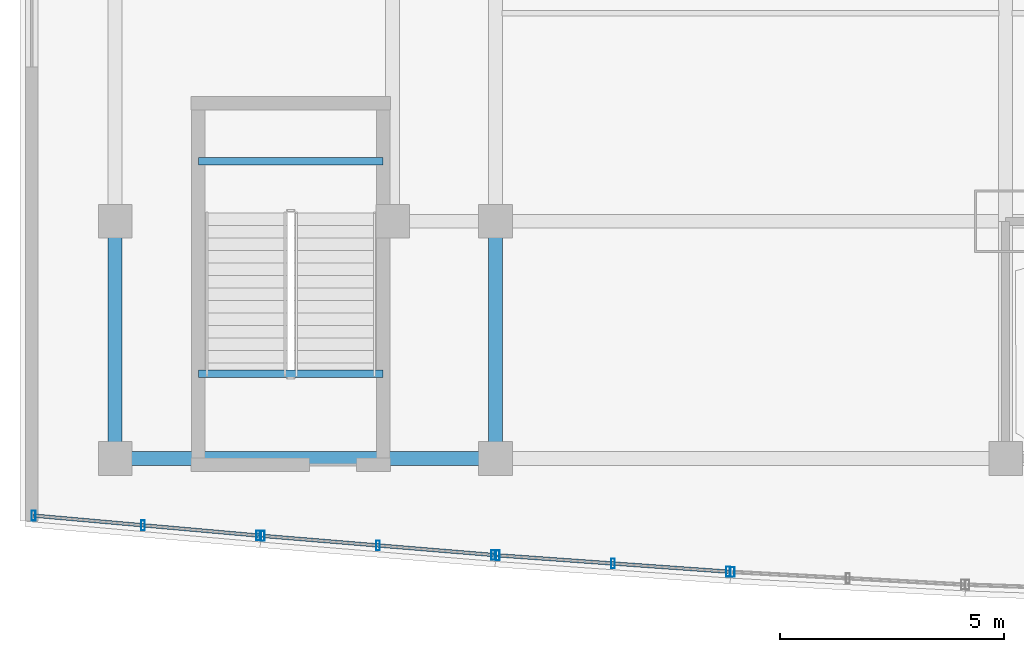
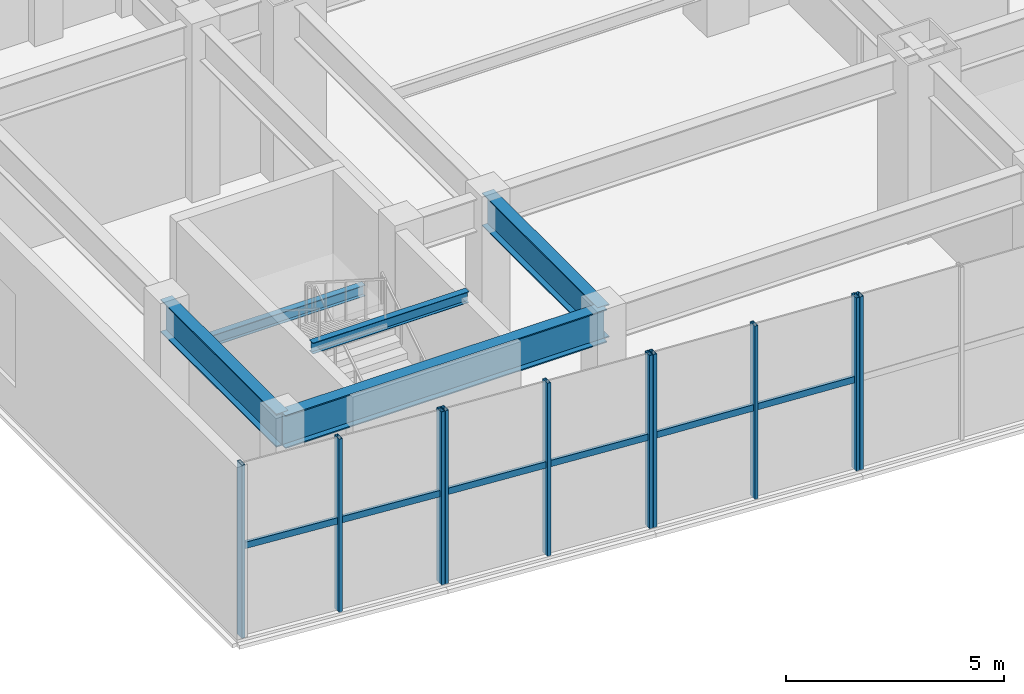
# One storey, part 2 of 24: 13 members, 5 beams, 4 elements without a shape of their own.
"""IFC4 building model written with IfcOpenShell, lengths in metres."""

from ifc_helpers import new_model, si_unit, direction, frame, origin, origin_2d, place, context, subcontext, project, spatial, hollow_rectangle, i_section, extrude, material, layer, layer_set, material_profile, profile_set, type_object, element, aggregate, save


model = new_model("IFC4")

# Units and contexts
model_context = context("Model", 3, precision=1e-05, world=origin(), true_north=direction((0.0, 1.0)))
body_context = subcontext(model_context, "Body", "Model", "MODEL_VIEW")
ifc_project = project(units=[si_unit("LENGTHUNIT", "METRE"), si_unit("AREAUNIT", "SQUARE_METRE"), si_unit("VOLUMEUNIT", "CUBIC_METRE"), si_unit("PLANEANGLEUNIT", "RADIAN"), si_unit("MASSUNIT", "GRAM", prefix="KILO")], contexts=[model_context])

# Site, building, storey
site_placement = place(None, origin())
site = spatial("IfcSite", under=ifc_project, at=site_placement, CompositionType="ELEMENT")
building_placement = place(site_placement, origin())
building = spatial("IfcBuilding", under=site, at=building_placement, Name="Vantalir Tower", CompositionType="ELEMENT")
storey_placement = place(building_placement, frame((0.0, 0.0, 11.0)))
storey = spatial("IfcBuildingStorey", under=building, at=storey_placement, Name="L02", CompositionType="ELEMENT", Elevation=11.0)

# Beams
ifc_material_1 = material(Name="Steel S355", Category="steel")
ifc_material_profile_1 = material_profile(ifc_material_1, i_section(OverallWidth=0.166015625, OverallDepth=0.306884765625, WebThickness=0.006591796875, FlangeThickness=0.01171875, at=origin_2d()), Name="Steel S355")
ifc_profile_set_1 = profile_set([ifc_material_profile_1], Name="Steel S355")
beam_type_1 = type_object("IfcBeamType", Name="BM-JS-305x165", PredefinedType="JOIST", material=ifc_profile_set_1)
for number, where, z_axis, x_axis, name in (
    (1, (3.860107421875, 5.094970703125, 4.845947265625), (1.0, 0.0, 0.0), (0.0, 1.0, 0.0), "L03 Stair PST3 Well Nosing Trimmer Beam"),
    (2, (3.860107421875, 9.844970703125, 2.14697265625), (1.0, 0.0, 0.0), (0.0, 1.0, 0.0), "Level 02 Stair PST3 Half-Landing Support Beam"),
):
    element("IfcBeam", number, at=place(storey_placement, frame(where, z_axis=z_axis, x_axis=x_axis)), inside=storey, type_object=beam_type_1, Name=name, PredefinedType="JOIST", context=body_context, shape_type="SweptSolid", body=[
        extrude(i_section(OverallWidth=0.166015625, OverallDepth=0.306884765625, WebThickness=0.006591796875, FlangeThickness=0.01171875, at=origin_2d()), origin(), (0.0, 0.0, 1.0), 4.1298828125),
    ])
ifc_material_profile_2 = material_profile(ifc_material_1, i_section(OverallWidth=0.30810546875, OverallDepth=0.927001953125, WebThickness=0.01953125, FlangeThickness=0.031982421875, at=origin_2d()), Name="Steel S355")
ifc_profile_set_2 = profile_set([ifc_material_profile_2], Name="Steel S355")
beam_type_2 = type_object("IfcBeamType", Name="BM-PG-914x305", PredefinedType="USERDEFINED", material=ifc_profile_set_2)
beam_placement = place(storey_placement, frame((2.0, 3.199951171875, 4.35595703125), z_axis=(1.0, 0.0, 0.0), x_axis=(0.0, 1.0, 0.0)))
element("IfcBeam", 3, at=beam_placement, inside=storey, type_object=beam_type_2, Name="Level 02 Podium E-W Girder 01", ObjectType="GIRDER", PredefinedType="USERDEFINED", context=body_context, shape_type="SweptSolid", body=[
    extrude(i_section(OverallWidth=0.30810546875, OverallDepth=0.927001953125, WebThickness=0.01953125, FlangeThickness=0.031982421875, at=origin_2d()), origin(), (0.0, 0.0, 1.0), 8.5),
])
for number, where, z_axis, x_axis, name in (
    (4, (2.0, 3.199951171875, 4.35595703125), (0.0, 1.0, 0.0), (-1.0, 0.0, 0.0), "Level 02 Podium N-S Girder 41"),
    (5, (10.5, 3.199951171875, 4.35595703125), (0.0, 1.0, 0.0), (-1.0, 0.0, 0.0), "Level 02 Podium N-S Girder 50"),
):
    element("IfcBeam", number, at=place(storey_placement, frame(where, z_axis=z_axis, x_axis=x_axis)), inside=storey, type_object=beam_type_2, Name=name, ObjectType="GIRDER", PredefinedType="USERDEFINED", context=body_context, shape_type="SweptSolid", body=[
        extrude(i_section(OverallWidth=0.30810546875, OverallDepth=0.927001953125, WebThickness=0.01953125, FlangeThickness=0.031982421875, at=origin_2d()), origin(), (0.0, 0.0, 1.0), 5.300048828125),
    ])

# Curtain wall, members
ifc_material_2 = material(Name="Champagne-silver PVDF aluminium and double-silver Low-E glass", Category="aluminium")
ifc_layer = layer(ifc_material_2, 0.239990234375)
ifc_layer_set = layer_set([ifc_layer], Name="Champagne-silver PVDF aluminium and double-silver Low-E glass")
curtain_wall_type = type_object("IfcCurtainWallType", Name="CW-PODIUM-WF", PredefinedType="USERDEFINED", material=ifc_layer_set)
curtain_wall_1_placement = place(storey_placement, origin())
curtain_wall_1 = element("IfcCurtainWall", 6, at=curtain_wall_1_placement, inside=storey, type_object=curtain_wall_type, Name="Level 02 Waterfront Stick Curtain Wall 01", ObjectType="STICK CURTAIN WALL", PredefinedType="USERDEFINED")
ifc_material_3 = material(Name="Champagne-silver PVDF aluminium 6063-T6", Category="aluminium")
ifc_material_profile_3 = material_profile(ifc_material_3, hollow_rectangle(XDim=0.0849609375, YDim=0.219970703125, WallThickness=0.0048828125, at=origin_2d()), Name="Champagne-silver PVDF aluminium 6063-T6")
ifc_profile_set_3 = profile_set([ifc_material_profile_3], Name="Champagne-silver PVDF aluminium 6063-T6")
member_type_1 = type_object("IfcMemberType", Name="CWM-220x85", PredefinedType="MULLION", material=ifc_profile_set_3)
member_1_placement = place(storey_placement, frame((0.178955078125, 1.924072265625, -0.011962890625), z_axis=(0.0, 0.0, 1.0), x_axis=(1.0, 0.0, 0.0)))
member_1 = element("IfcMember", 7, at=member_1_placement, type_object=member_type_1, Name="CW-L02-WF-01 Mullion 1", PredefinedType="MULLION", context=body_context, shape_type="SweptSolid", body=[
    extrude(hollow_rectangle(XDim=0.0849609375, YDim=0.219970703125, WallThickness=0.0048828125, at=origin_2d()), origin(), (0.0, 0.0, 1.0), 4.843994140625),
])
member_2_placement = place(storey_placement, frame((2.625, 1.70703125, -0.011962890625), z_axis=(0.0, 0.0, 1.0), x_axis=(1.0, 0.0, 0.0)))
member_2 = element("IfcMember", 8, at=member_2_placement, type_object=member_type_1, Name="CW-L02-WF-01 Mullion 2", PredefinedType="MULLION", context=body_context, shape_type="SweptSolid", body=[
    extrude(hollow_rectangle(XDim=0.0849609375, YDim=0.219970703125, WallThickness=0.0048828125, at=origin_2d()), origin(), (0.0, 0.0, 1.0), 4.843994140625),
])
member_3_placement = place(storey_placement, frame((5.199951171875, 1.47802734375, -0.011962890625), z_axis=(0.0, 0.0, 1.0), x_axis=(1.0, 0.0, 0.0)))
member_3 = element("IfcMember", 9, at=member_3_placement, type_object=member_type_1, Name="CW-L02-WF-01 Mullion 3", PredefinedType="MULLION", context=body_context, shape_type="SweptSolid", body=[
    extrude(hollow_rectangle(XDim=0.0849609375, YDim=0.219970703125, WallThickness=0.0048828125, at=origin_2d()), origin(), (0.0, 0.0, 1.0), 4.843994140625),
])

curtain_wall_2_placement = place(storey_placement, origin())
curtain_wall_2 = element("IfcCurtainWall", 10, at=curtain_wall_2_placement, inside=storey, type_object=curtain_wall_type, Name="Level 02 Waterfront Stick Curtain Wall 02", ObjectType="STICK CURTAIN WALL", PredefinedType="USERDEFINED")
member_4_placement = place(storey_placement, frame((5.300048828125, 1.469970703125, -0.011962890625), z_axis=(0.0, 0.0, 1.0), x_axis=(1.0, 0.0, 0.0)))
member_4 = element("IfcMember", 11, at=member_4_placement, type_object=member_type_1, Name="CW-L02-WF-02 Mullion 1", PredefinedType="MULLION", context=body_context, shape_type="SweptSolid", body=[
    extrude(hollow_rectangle(XDim=0.0849609375, YDim=0.219970703125, WallThickness=0.0048828125, at=origin_2d()), origin(), (0.0, 0.0, 1.0), 4.843994140625),
])
member_5_placement = place(storey_placement, frame((7.875, 1.257080078125, -0.011962890625), z_axis=(0.0, 0.0, 1.0), x_axis=(1.0, 0.0, 0.0)))
member_5 = element("IfcMember", 12, at=member_5_placement, type_object=member_type_1, Name="CW-L02-WF-02 Mullion 2", PredefinedType="MULLION", context=body_context, shape_type="SweptSolid", body=[
    extrude(hollow_rectangle(XDim=0.0849609375, YDim=0.219970703125, WallThickness=0.0048828125, at=origin_2d()), origin(), (0.0, 0.0, 1.0), 4.843994140625),
])
member_6_placement = place(storey_placement, frame((10.449951171875, 1.0439453125, -0.011962890625), z_axis=(0.0, 0.0, 1.0), x_axis=(1.0, 0.0, 0.0)))
member_6 = element("IfcMember", 13, at=member_6_placement, type_object=member_type_1, Name="CW-L02-WF-02 Mullion 3", PredefinedType="MULLION", context=body_context, shape_type="SweptSolid", body=[
    extrude(hollow_rectangle(XDim=0.0849609375, YDim=0.219970703125, WallThickness=0.0048828125, at=origin_2d()), origin(), (0.0, 0.0, 1.0), 4.843994140625),
])

curtain_wall_3_placement = place(storey_placement, origin())
curtain_wall_3 = element("IfcCurtainWall", 14, at=curtain_wall_3_placement, inside=storey, type_object=curtain_wall_type, Name="Level 02 Waterfront Stick Curtain Wall 03", ObjectType="STICK CURTAIN WALL", PredefinedType="USERDEFINED")
member_7_placement = place(storey_placement, frame((10.550048828125, 1.035888671875, -0.011962890625), z_axis=(0.0, 0.0, 1.0), x_axis=(1.0, 0.0, 0.0)))
member_7 = element("IfcMember", 15, at=member_7_placement, type_object=member_type_1, Name="CW-L02-WF-03 Mullion 1", PredefinedType="MULLION", context=body_context, shape_type="SweptSolid", body=[
    extrude(hollow_rectangle(XDim=0.0849609375, YDim=0.219970703125, WallThickness=0.0048828125, at=origin_2d()), origin(), (0.0, 0.0, 1.0), 4.843994140625),
])
member_8_placement = place(storey_placement, frame((13.125, 0.85400390625, -0.011962890625), z_axis=(0.0, 0.0, 1.0), x_axis=(1.0, 0.0, 0.0)))
member_8 = element("IfcMember", 16, at=member_8_placement, type_object=member_type_1, Name="CW-L02-WF-03 Mullion 2", PredefinedType="MULLION", context=body_context, shape_type="SweptSolid", body=[
    extrude(hollow_rectangle(XDim=0.0849609375, YDim=0.219970703125, WallThickness=0.0048828125, at=origin_2d()), origin(), (0.0, 0.0, 1.0), 4.843994140625),
])
member_9_placement = place(storey_placement, frame((15.699951171875, 0.6708984375, -0.011962890625), z_axis=(0.0, 0.0, 1.0), x_axis=(1.0, 0.0, 0.0)))
member_9 = element("IfcMember", 17, at=member_9_placement, type_object=member_type_1, Name="CW-L02-WF-03 Mullion 3", PredefinedType="MULLION", context=body_context, shape_type="SweptSolid", body=[
    extrude(hollow_rectangle(XDim=0.0849609375, YDim=0.219970703125, WallThickness=0.0048828125, at=origin_2d()), origin(), (0.0, 0.0, 1.0), 4.843994140625),
])

# Curtain wall, member
curtain_wall_4_placement = place(storey_placement, origin())
curtain_wall_4 = element("IfcCurtainWall", 18, at=curtain_wall_4_placement, inside=storey, type_object=curtain_wall_type, Name="Level 02 Waterfront Stick Curtain Wall 04", ObjectType="STICK CURTAIN WALL", PredefinedType="USERDEFINED")
member_10_placement = place(storey_placement, frame((15.800048828125, 0.6640625, -0.011962890625), z_axis=(0.0, 0.0, 1.0), x_axis=(1.0, 0.0, 0.0)))
member_10 = element("IfcMember", 19, at=member_10_placement, type_object=member_type_1, Name="CW-L02-WF-04 Mullion 1", PredefinedType="MULLION", context=body_context, shape_type="SweptSolid", body=[
    extrude(hollow_rectangle(XDim=0.0849609375, YDim=0.219970703125, WallThickness=0.0048828125, at=origin_2d()), origin(), (0.0, 0.0, 1.0), 4.843994140625),
])
aggregate(curtain_wall_4, [member_10])

# Member
ifc_material_profile_4 = material_profile(ifc_material_3, hollow_rectangle(XDim=0.080078125, YDim=0.179931640625, WallThickness=0.0048828125, at=origin_2d()), Name="Champagne-silver PVDF aluminium 6063-T6")
ifc_profile_set_4 = profile_set([ifc_material_profile_4], Name="Champagne-silver PVDF aluminium 6063-T6")
member_type_2 = type_object("IfcMemberType", Name="CWT-180x80", PredefinedType="USERDEFINED", material=ifc_profile_set_4)
member_11_placement = place(storey_placement, frame((0.178955078125, 1.924072265625, 2.506103515625), z_axis=(0.996077290425, -0.088487465215, 0.0), x_axis=(0.088487465215, 0.996077290425, 0.0)))
member_11 = element("IfcMember", 20, at=member_11_placement, type_object=member_type_2, Name="CW-L02-WF-01 Transom 1", ObjectType="TRANSOM", PredefinedType="USERDEFINED", context=body_context, shape_type="SweptSolid", body=[
    extrude(hollow_rectangle(XDim=0.080078125, YDim=0.179931640625, WallThickness=0.0048828125, at=origin_2d()), origin(), (0.0, 0.0, 1.0), 5.040771484375),
])

aggregate(curtain_wall_1, [member_1, member_2, member_3, member_11])

member_12_placement = place(storey_placement, frame((5.300048828125, 1.469970703125, 2.506103515625), z_axis=(0.996595754271, -0.08244332944, 0.0), x_axis=(0.08244332944, 0.996595754271, 0.0)))
member_12 = element("IfcMember", 21, at=member_12_placement, type_object=member_type_2, Name="CW-L02-WF-02 Transom 1", ObjectType="TRANSOM", PredefinedType="USERDEFINED", context=body_context, shape_type="SweptSolid", body=[
    extrude(hollow_rectangle(XDim=0.080078125, YDim=0.179931640625, WallThickness=0.0048828125, at=origin_2d()), origin(), (0.0, 0.0, 1.0), 5.16748046875),
])

aggregate(curtain_wall_2, [member_4, member_5, member_6, member_12])

member_13_placement = place(storey_placement, frame((10.550048828125, 1.035888671875, 2.506103515625), z_axis=(0.997497914419, -0.070695903198, 0.0), x_axis=(0.070695903198, 0.997497914419, 0.0)))
member_13 = element("IfcMember", 22, at=member_13_placement, type_object=member_type_2, Name="CW-L02-WF-03 Transom 1", ObjectType="TRANSOM", PredefinedType="USERDEFINED", context=body_context, shape_type="SweptSolid", body=[
    extrude(hollow_rectangle(XDim=0.080078125, YDim=0.179931640625, WallThickness=0.0048828125, at=origin_2d()), origin(), (0.0, 0.0, 1.0), 5.162841796875),
])

aggregate(curtain_wall_3, [member_7, member_8, member_9, member_13])

save(model, "model.ifc")
